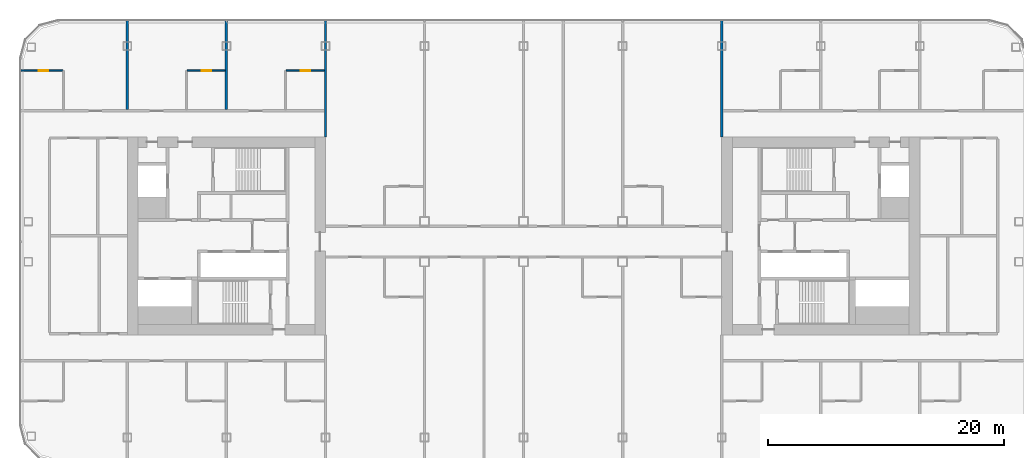
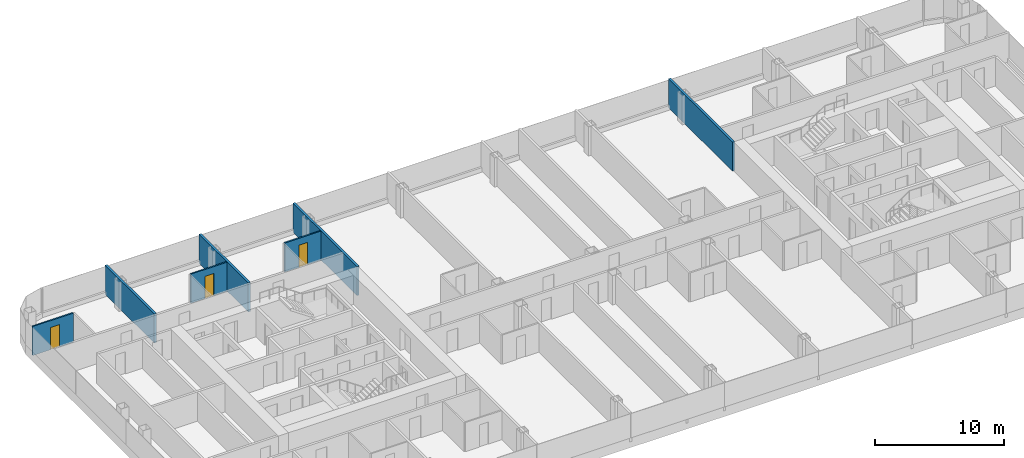
# One storey, part 15 of 26: 7 walls, 3 doors, 3 openings.
"""IFC4 building model written with IfcOpenShell, lengths in metres."""

from ifc_helpers import new_model, si_unit, direction, frame, frame_2d, origin, place, context, subcontext, project, spatial, rectangle, extrude, material, layer, layer_set, type_object, element, fill, save


model = new_model("IFC4")

# Units and contexts
model_context = context("Model", 3, precision=1e-05, world=origin(), true_north=direction((0.0, 1.0)))
body_context = subcontext(model_context, "Body", "Model", "MODEL_VIEW")
ifc_project = project(units=[si_unit("LENGTHUNIT", "METRE"), si_unit("AREAUNIT", "SQUARE_METRE"), si_unit("VOLUMEUNIT", "CUBIC_METRE"), si_unit("PLANEANGLEUNIT", "RADIAN"), si_unit("MASSUNIT", "GRAM", prefix="KILO")], contexts=[model_context])

# Site, building, storey
site_placement = place(None, origin())
site = spatial("IfcSite", under=ifc_project, at=site_placement, CompositionType="ELEMENT")
building_placement = place(site_placement, origin())
building = spatial("IfcBuilding", under=site, at=building_placement, Name="Hakoniwa Tower and Hamabe Station Hall", CompositionType="ELEMENT")
storey_placement = place(building_placement, frame((0.0, 0.0, 131.0)))
storey = spatial("IfcBuildingStorey", under=building, at=storey_placement, Name="L36", CompositionType="ELEMENT", Elevation=131.0)

# Wall, opening, door
ifc_material_1 = material(Name="Gypsum board partition", Category="gypsum")
ifc_layer_1 = layer(ifc_material_1, 0.125)
ifc_layer_set_1 = layer_set([ifc_layer_1], Name="Bathroom Partition 125")
wall_type_1 = type_object("IfcWallType", Name="Bathroom Partition 125", PredefinedType="PARTITIONING", material=ifc_layer_set_1)
wall_1_placement = place(storey_placement, frame((-42.699951171875, 14.0, 0.0), z_axis=(0.0, 0.0, 1.0), x_axis=(1.0, 0.0, 0.0)))
wall_1 = element("IfcWall", 1, at=wall_1_placement, inside=storey, type_object=wall_type_1, Name="GW-L36-024", PredefinedType="PARTITIONING", context=body_context, shape_type="SweptSolid", body=[
    extrude(rectangle(XDim=3.637451171875, YDim=0.125, at=frame_2d((1.81884765625, 0.0))), origin(), (0.0, 0.0, 1.0), 2.75),
])
opening_1_placement = place(wall_1_placement, frame((1.60009765625, 0.0, 0.0)))
opening_1 = element("IfcOpeningElement", 2, at=opening_1_placement, cuts=wall_1, Name="Opening GD-G3A0-42", PredefinedType="OPENING", context=body_context, shape_type="SweptSolid", body=[
    extrude(rectangle(XDim=0.800048828125, YDim=2.10009765625, at=frame_2d((0.39990234375, 1.050048828125))), frame((0.0, 0.072509765625, 0.0), z_axis=(0.0, -1.0, 0.0), x_axis=(1.0, 0.0, 0.0)), (0.0, 0.0, 1.0), 0.14501953125),
])
ifc_material_2 = material(Name="Timber door leaf", Category="wood")
door_type = type_object("IfcDoorType", Name="Bathroom Door 800", OperationType="SINGLE_SWING_LEFT", PredefinedType="DOOR", material=ifc_material_2)
door_1_placement = place(opening_1_placement, origin())
door_1 = element("IfcDoor", 3, at=door_1_placement, inside=storey, type_object=door_type, Name="Door GD-G3A0-42", OperationType="SINGLE_SWING_RIGHT", OverallHeight=2.10009765625, OverallWidth=0.800048828125, PredefinedType="DOOR", context=body_context, shape_type="SweptSolid", body=[
    extrude(rectangle(XDim=0.800048828125, YDim=2.10009765625, at=frame_2d((0.39990234375, 1.050048828125))), frame((0.0, 0.02490234375, 0.0), z_axis=(0.0, -1.0, 0.0), x_axis=(1.0, 0.0, 0.0)), (0.0, 0.0, 1.0), 0.050048828125),
])
fill(opening_1, door_1)

wall_2_placement = place(storey_placement, frame((-28.53759765625, 14.0, 0.0), z_axis=(0.0, 0.0, 1.0), x_axis=(1.0, 0.0, 0.0)))
wall_2 = element("IfcWall", 4, at=wall_2_placement, inside=storey, type_object=wall_type_1, Name="GW-L36-025", PredefinedType="PARTITIONING", context=body_context, shape_type="SweptSolid", body=[
    extrude(rectangle(XDim=3.237548828125, YDim=0.125, at=frame_2d((1.61865234375, 0.0))), origin(), (0.0, 0.0, 1.0), 2.75),
])
opening_2_placement = place(wall_2_placement, frame((1.237548828125, 0.0, 0.0)))
opening_2 = element("IfcOpeningElement", 5, at=opening_2_placement, cuts=wall_2, Name="Opening GD-G3A0-43", PredefinedType="OPENING", context=body_context, shape_type="SweptSolid", body=[
    extrude(rectangle(XDim=0.800048828125, YDim=2.10009765625, at=frame_2d((0.39990234375, 1.050048828125))), frame((0.0, 0.072509765625, 0.0), z_axis=(0.0, -1.0, 0.0), x_axis=(1.0, 0.0, 0.0)), (0.0, 0.0, 1.0), 0.14501953125),
])
door_2_placement = place(opening_2_placement, origin())
door_2 = element("IfcDoor", 6, at=door_2_placement, inside=storey, type_object=door_type, Name="Door GD-G3A0-43", OperationType="SINGLE_SWING_RIGHT", OverallHeight=2.10009765625, OverallWidth=0.800048828125, PredefinedType="DOOR", context=body_context, shape_type="SweptSolid", body=[
    extrude(rectangle(XDim=0.800048828125, YDim=2.10009765625, at=frame_2d((0.39990234375, 1.050048828125))), frame((0.0, 0.02490234375, 0.0), z_axis=(0.0, -1.0, 0.0), x_axis=(1.0, 0.0, 0.0)), (0.0, 0.0, 1.0), 0.050048828125),
])
fill(opening_2, door_2)

wall_3_placement = place(storey_placement, frame((-20.137451171875, 14.0, 0.0), z_axis=(0.0, 0.0, 1.0), x_axis=(1.0, 0.0, 0.0)))
wall_3 = element("IfcWall", 7, at=wall_3_placement, inside=storey, type_object=wall_type_1, Name="GW-L36-026", PredefinedType="PARTITIONING", context=body_context, shape_type="SweptSolid", body=[
    extrude(rectangle(XDim=3.237548828125, YDim=0.125, at=frame_2d((1.61865234375, 0.0))), origin(), (0.0, 0.0, 1.0), 2.75),
])
opening_3_placement = place(wall_3_placement, frame((1.237548828125, 0.0, 0.0)))
opening_3 = element("IfcOpeningElement", 8, at=opening_3_placement, cuts=wall_3, Name="Opening GD-G3A0-44", PredefinedType="OPENING", context=body_context, shape_type="SweptSolid", body=[
    extrude(rectangle(XDim=0.800048828125, YDim=2.10009765625, at=frame_2d((0.39990234375, 1.050048828125))), frame((0.0, 0.072509765625, 0.0), z_axis=(0.0, -1.0, 0.0), x_axis=(1.0, 0.0, 0.0)), (0.0, 0.0, 1.0), 0.14501953125),
])
door_3_placement = place(opening_3_placement, origin())
door_3 = element("IfcDoor", 9, at=door_3_placement, inside=storey, type_object=door_type, Name="Door GD-G3A0-44", OperationType="SINGLE_SWING_LEFT", OverallHeight=2.10009765625, OverallWidth=0.800048828125, PredefinedType="DOOR", context=body_context, shape_type="SweptSolid", body=[
    extrude(rectangle(XDim=0.800048828125, YDim=2.10009765625, at=frame_2d((0.39990234375, 1.050048828125))), frame((0.0, 0.02490234375, 0.0), z_axis=(0.0, -1.0, 0.0), x_axis=(1.0, 0.0, 0.0)), (0.0, 0.0, 1.0), 0.050048828125),
])
fill(opening_3, door_3)

# Walls
ifc_material_3 = material(Name="Fire-rated gypsum board partition", Category="gypsum")
ifc_layer_2 = layer(ifc_material_3, 0.199951171875)
ifc_layer_set_2 = layer_set([ifc_layer_2], Name="Party Wall 200")
wall_type_2 = type_object("IfcWallType", Name="Party Wall 200", PredefinedType="PARTITIONING", material=ifc_layer_set_2)
for number, where, z_axis, x_axis, name in (
    (10, (-33.60009765625, 10.699951171875, 0.0), (0.0, 0.0, 1.0), (0.0, 1.0, 0.0), "GW-L36-036"),
    (11, (-25.199951171875, 10.699951171875, 0.0), (0.0, 0.0, 1.0), (0.0, 1.0, 0.0), "GW-L36-040"),
):
    element("IfcWall", number, at=place(storey_placement, frame(where, z_axis=z_axis, x_axis=x_axis)), inside=storey, type_object=wall_type_2, Name=name, PredefinedType="PARTITIONING", context=body_context, shape_type="SweptSolid", body=[
        extrude(rectangle(XDim=7.60009765625, YDim=0.199951171875, at=frame_2d((3.800048828125, 0.0))), origin(), (0.0, 0.0, 1.0), 2.75),
    ])
for number, where, z_axis, x_axis, name in (
    (12, (-16.800048828125, 8.389892578125, 0.0), (0.0, 0.0, 1.0), (0.0, 1.0, 0.0), "GW-L36-044"),
    (13, (16.800048828125, 8.389892578125, 0.0), (0.0, 0.0, 1.0), (0.0, 1.0, 0.0), "GW-L36-059"),
):
    element("IfcWall", number, at=place(storey_placement, frame(where, z_axis=z_axis, x_axis=x_axis)), inside=storey, type_object=wall_type_2, Name=name, PredefinedType="PARTITIONING", context=body_context, shape_type="SweptSolid", body=[
        extrude(rectangle(XDim=9.91015625, YDim=0.199951171875, at=frame_2d((4.955078125, 0.0))), origin(), (0.0, 0.0, 1.0), 2.75),
    ])

save(model, "model.ifc")
